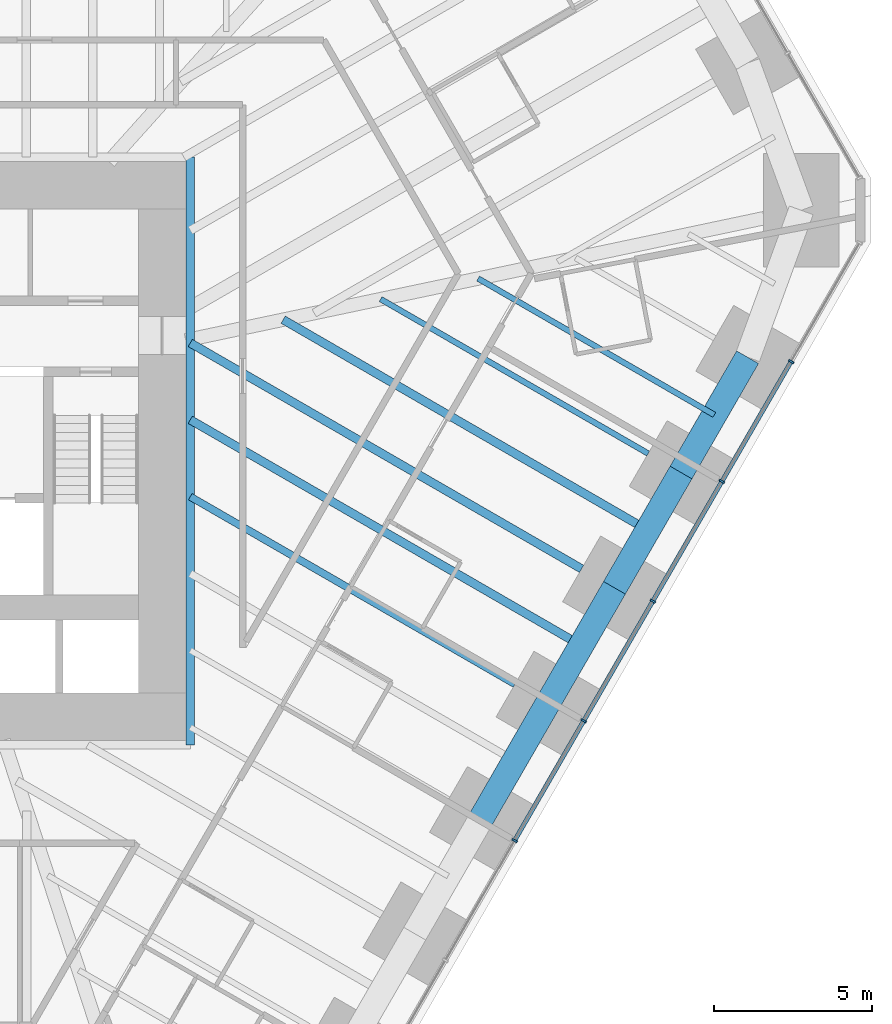
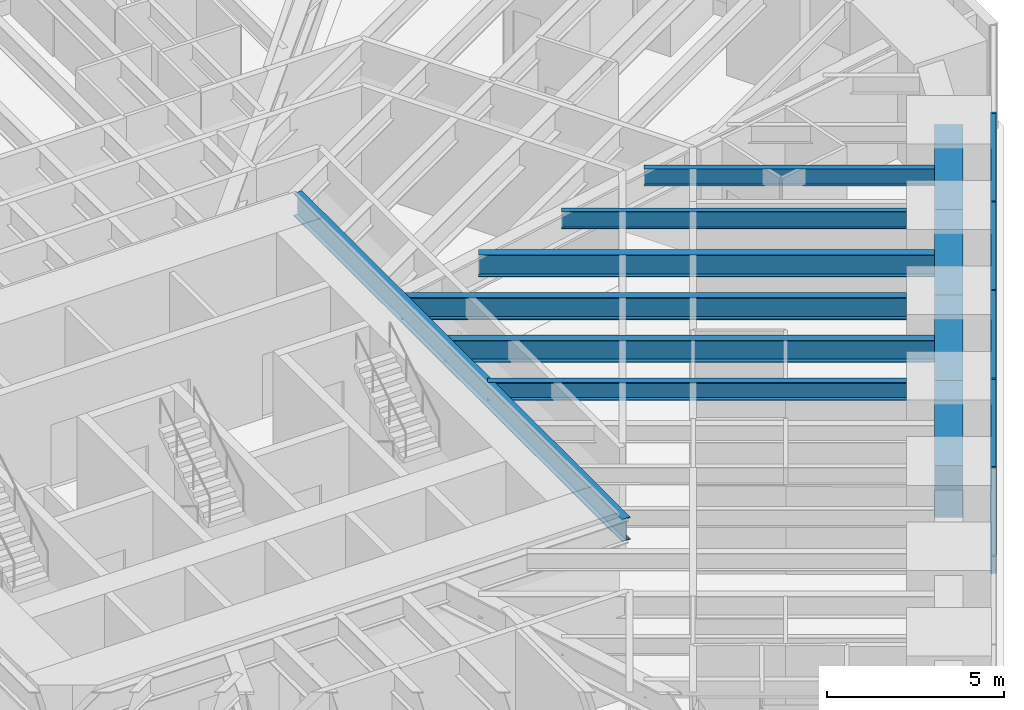
# One storey, part 6 of 17: 11 beams, 9 members, 1 element without a shape of its own.
"""IFC4 building model written with IfcOpenShell, lengths in metres."""

from ifc_helpers import new_model, si_unit, direction, frame, origin, origin_2d, place, context, subcontext, project, spatial, rectangle, i_section, extrude, material, material_profile, profile_set, type_object, element, aggregate, save


model = new_model("IFC4")

# Units and contexts
model_context = context("Model", 3, precision=1e-05, world=origin(), true_north=direction((0.0, 1.0)))
body_context = subcontext(model_context, "Body", "Model", "MODEL_VIEW")
ifc_project = project(units=[si_unit("LENGTHUNIT", "METRE"), si_unit("AREAUNIT", "SQUARE_METRE"), si_unit("VOLUMEUNIT", "CUBIC_METRE"), si_unit("PLANEANGLEUNIT", "RADIAN"), si_unit("MASSUNIT", "GRAM", prefix="KILO")], contexts=[model_context])

# Site, building, storey
site_placement = place(None, origin())
site = spatial("IfcSite", under=ifc_project, at=site_placement, CompositionType="ELEMENT")
building_placement = place(site_placement, origin())
building = spatial("IfcBuilding", under=site, at=building_placement, Name="Sandreach Pilgrim Tower", CompositionType="ELEMENT")
storey_placement = place(building_placement, frame((0.0, 0.0, 30.60009765625)))
storey = spatial("IfcBuildingStorey", under=building, at=storey_placement, Name="L06", CompositionType="ELEMENT", Elevation=30.60009765625)

# Curtain wall, members
ifc_material_1 = material(Name="Aluminium framed curtain wall", Category="aluminium")
curtain_wall_type = type_object("IfcCurtainWallType", Name="Hostel tower curtain wall", PredefinedType="NOTDEFINED", material=ifc_material_1)
curtain_wall_placement = place(storey_placement, origin())
curtain_wall = element("IfcCurtainWall", 1, at=curtain_wall_placement, inside=storey, type_object=curtain_wall_type, Name="CW-1 L06 SE", PredefinedType="NOTDEFINED")
ifc_material_2 = material(Name="Aluminium extrusion", Category="aluminium")
ifc_material_profile_1 = material_profile(ifc_material_2, rectangle(XDim=0.06494140625, YDim=0.179931640625, at=origin_2d()), Name="CW-1M 65X180")
ifc_profile_set_1 = profile_set([ifc_material_profile_1], Name="Aluminium extrusion")
member_type_1 = type_object("IfcMemberType", Name="CW-1 mullion", PredefinedType="MULLION", material=ifc_profile_set_1)
member_1_placement = place(storey_placement, frame((28.390380859375, 1.2763671875, 0.0), z_axis=(0.0, 0.0, 1.0), x_axis=(-0.5, -0.866025403784, 0.0)))
member_1 = element("IfcMember", 2, at=member_1_placement, type_object=member_type_1, Name="CW-1 mullion 2", PredefinedType="MULLION", context=body_context, shape_type="SweptSolid", body=[
    extrude(rectangle(XDim=0.06494140625, YDim=0.179931640625, at=origin_2d()), origin(), (0.0, 0.0, 1.0), 3.639892578125),
])
member_2_placement = place(storey_placement, frame((26.20458984375, -2.509521484375, 0.0), z_axis=(0.0, 0.0, 1.0), x_axis=(-0.5, -0.866025403784, 0.0)))
member_2 = element("IfcMember", 3, at=member_2_placement, type_object=member_type_1, Name="CW-1 mullion 3", PredefinedType="MULLION", context=body_context, shape_type="SweptSolid", body=[
    extrude(rectangle(XDim=0.06494140625, YDim=0.179931640625, at=origin_2d()), origin(), (0.0, 0.0, 1.0), 3.639892578125),
])
member_3_placement = place(storey_placement, frame((24.018798828125, -6.29541015625, 0.0), z_axis=(0.0, 0.0, 1.0), x_axis=(-0.5, -0.866025403784, 0.0)))
member_3 = element("IfcMember", 4, at=member_3_placement, type_object=member_type_1, Name="CW-1 mullion 4", PredefinedType="MULLION", context=body_context, shape_type="SweptSolid", body=[
    extrude(rectangle(XDim=0.06494140625, YDim=0.179931640625, at=origin_2d()), origin(), (0.0, 0.0, 1.0), 3.639892578125),
])
member_4_placement = place(storey_placement, frame((21.8330078125, -10.081298828125, 0.0), z_axis=(0.0, 0.0, 1.0), x_axis=(-0.5, -0.866025403784, 0.0)))
member_4 = element("IfcMember", 5, at=member_4_placement, type_object=member_type_1, Name="CW-1 mullion 5", PredefinedType="MULLION", context=body_context, shape_type="SweptSolid", body=[
    extrude(rectangle(XDim=0.06494140625, YDim=0.179931640625, at=origin_2d()), origin(), (0.0, 0.0, 1.0), 3.639892578125),
])
member_5_placement = place(storey_placement, frame((19.647216796875, -13.8671875, 0.0), z_axis=(0.0, 0.0, 1.0), x_axis=(-0.5, -0.866025403784, 0.0)))
member_5 = element("IfcMember", 6, at=member_5_placement, type_object=member_type_1, Name="CW-1 mullion 6", PredefinedType="MULLION", context=body_context, shape_type="SweptSolid", body=[
    extrude(rectangle(XDim=0.06494140625, YDim=0.179931640625, at=origin_2d()), origin(), (0.0, 0.0, 1.0), 3.639892578125),
])
ifc_material_3 = material(Name="Aluminium extrusion", Category="aluminium")
ifc_material_profile_2 = material_profile(ifc_material_3, rectangle(XDim=0.139892578125, YDim=0.070068359375, at=origin_2d()), Name="CW-1T 140X70")
ifc_profile_set_2 = profile_set([ifc_material_profile_2], Name="Aluminium extrusion")
member_type_2 = type_object("IfcMemberType", Name="CW-1 transom", PredefinedType="USERDEFINED", material=ifc_profile_set_2)
member_6_placement = place(storey_placement, frame((28.374267578125, 1.248046875, 3.60498046875), z_axis=(-0.500016891966, -0.866015650984, 0.0), x_axis=(0.866015650984, -0.500016891966, 0.0)))
member_6 = element("IfcMember", 7, at=member_6_placement, type_object=member_type_2, Name="CW-1 head transom 2", ObjectType="TRANSOM", PredefinedType="USERDEFINED", context=body_context, shape_type="SweptSolid", body=[
    extrude(rectangle(XDim=0.139892578125, YDim=0.070068359375, at=origin_2d()), origin(), (0.0, 0.0, 1.0), 4.306396484375),
])
member_7_placement = place(storey_placement, frame((26.1884765625, -2.537841796875, 3.60498046875), z_axis=(-0.500016891966, -0.866015650984, 0.0), x_axis=(0.866015650984, -0.500016891966, 0.0)))
member_7 = element("IfcMember", 8, at=member_7_placement, type_object=member_type_2, Name="CW-1 head transom 3", ObjectType="TRANSOM", PredefinedType="USERDEFINED", context=body_context, shape_type="SweptSolid", body=[
    extrude(rectangle(XDim=0.139892578125, YDim=0.070068359375, at=origin_2d()), origin(), (0.0, 0.0, 1.0), 4.306396484375),
])
member_8_placement = place(storey_placement, frame((24.002685546875, -6.32373046875, 3.60498046875), z_axis=(-0.500016891966, -0.866015650984, 0.0), x_axis=(0.866015650984, -0.500016891966, 0.0)))
member_8 = element("IfcMember", 9, at=member_8_placement, type_object=member_type_2, Name="CW-1 head transom 4", ObjectType="TRANSOM", PredefinedType="USERDEFINED", context=body_context, shape_type="SweptSolid", body=[
    extrude(rectangle(XDim=0.139892578125, YDim=0.070068359375, at=origin_2d()), origin(), (0.0, 0.0, 1.0), 4.306396484375),
])
member_9_placement = place(storey_placement, frame((21.81689453125, -10.109619140625, 3.60498046875), z_axis=(-0.500016891966, -0.866015650984, 0.0), x_axis=(0.866015650984, -0.500016891966, 0.0)))
member_9 = element("IfcMember", 10, at=member_9_placement, type_object=member_type_2, Name="CW-1 head transom 5", ObjectType="TRANSOM", PredefinedType="USERDEFINED", context=body_context, shape_type="SweptSolid", body=[
    extrude(rectangle(XDim=0.139892578125, YDim=0.070068359375, at=origin_2d()), origin(), (0.0, 0.0, 1.0), 4.306396484375),
])
aggregate(curtain_wall, [member_1, member_2, member_3, member_4, member_5, member_6, member_7, member_8, member_9])

# Beams
ifc_material_4 = material(Name="Steel ASTM A992 Grade 50", Category="steel")
ifc_material_profile_3 = material_profile(ifc_material_4, i_section(OverallWidth=0.2666015625, OverallDepth=0.77978515625, WebThickness=0.0166015625, FlangeThickness=0.030029296875, at=origin_2d()), Name="W30X148")
ifc_profile_set_3 = profile_set([ifc_material_profile_3], Name="Steel ASTM A992 Grade 50")
beam_type_1 = type_object("IfcBeamType", Name="Core edge beam W30X148", PredefinedType="BEAM", material=ifc_profile_set_3)
beam_1_placement = place(storey_placement, frame((9.393310546875, 7.743408203125, 3.25), z_axis=(0.0, -1.0, 0.0), x_axis=(1.0, 0.0, 0.0)))
element("IfcBeam", 11, at=beam_1_placement, inside=storey, type_object=beam_type_1, Name="BM L06 CEE", PredefinedType="BEAM", context=body_context, shape_type="SweptSolid", body=[
    extrude(i_section(OverallWidth=0.2666015625, OverallDepth=0.77978515625, WebThickness=0.0166015625, FlangeThickness=0.030029296875, at=origin_2d()), origin(), (0.0, 0.0, 1.0), 18.586669921875),
])
ifc_material_5 = material(Name="Steel ASTM A992 Grade 50", Category="steel")
ifc_material_profile_4 = material_profile(ifc_material_5, i_section(OverallWidth=0.1787109375, OverallDepth=0.60205078125, WebThickness=0.010986328125, FlangeThickness=0.014892578125, at=origin_2d()), Name="W24X62")
ifc_profile_set_4 = profile_set([ifc_material_profile_4], Name="Steel ASTM A992 Grade 50")
beam_type_2 = type_object("IfcBeamType", Name="Floor beam W24X62", PredefinedType="BEAM", material=ifc_profile_set_4)
beam_2_placement = place(storey_placement, frame((23.8720703125, -1.629638671875, 3.3388671875), z_axis=(-0.866025751498, 0.499999397742, 0.0), x_axis=(-0.499999397742, -0.866025751498, 0.0)))
element("IfcBeam", 12, at=beam_2_placement, inside=storey, type_object=beam_type_2, Name="BM L06 F15", PredefinedType="BEAM", context=body_context, shape_type="SweptSolid", body=[
    extrude(i_section(OverallWidth=0.1787109375, OverallDepth=0.60205078125, WebThickness=0.010986328125, FlangeThickness=0.014892578125, at=origin_2d()), origin(), (0.0, 0.0, 1.0), 9.767578125),
])
beam_3_placement = place(storey_placement, frame((25.9638671875, -0.40673828125, 3.3388671875), z_axis=(-0.866020100198, 0.500009185969, 0.0), x_axis=(-0.500009185969, -0.866020100198, 0.0)))
element("IfcBeam", 13, at=beam_3_placement, inside=storey, type_object=beam_type_2, Name="BM L06 FM14", PredefinedType="BEAM", context=body_context, shape_type="SweptSolid", body=[
    extrude(i_section(OverallWidth=0.1787109375, OverallDepth=0.60205078125, WebThickness=0.010986328125, FlangeThickness=0.014892578125, at=origin_2d()), origin(), (0.0, 0.0, 1.0), 8.623291015625),
])
ifc_material_6 = material(Name="Steel ASTM A992 Grade 50", Category="steel")
ifc_material_profile_5 = material_profile(ifc_material_6, i_section(OverallWidth=0.23046875, OverallDepth=0.6171875, WebThickness=0.01318359375, FlangeThickness=0.022216796875, at=origin_2d()), Name="W24X94")
ifc_profile_set_5 = profile_set([ifc_material_profile_5], Name="Steel ASTM A992 Grade 50")
beam_type_3 = type_object("IfcBeamType", Name="Floor beam W24X94", PredefinedType="BEAM", material=ifc_profile_set_5)
beam_4_placement = place(storey_placement, frame((19.662353515625, -8.92138671875, 3.331298828125), z_axis=(-0.866029924088, 0.499992170523, 0.0), x_axis=(-0.499992170523, -0.866029924088, 0.0)))
element("IfcBeam", 14, at=beam_4_placement, inside=storey, type_object=beam_type_3, Name="BM L06 F17", PredefinedType="BEAM", context=body_context, shape_type="SweptSolid", body=[
    extrude(i_section(OverallWidth=0.23046875, OverallDepth=0.6171875, WebThickness=0.01318359375, FlangeThickness=0.022216796875, at=origin_2d()), origin(), (0.0, 0.0, 1.0), 11.857666015625),
])
ifc_material_7 = material(Name="Steel ASTM A992 Grade 50", Category="steel")
ifc_material_profile_6 = material_profile(ifc_material_7, i_section(OverallWidth=0.2666015625, OverallDepth=0.761962890625, WebThickness=0.014404296875, FlangeThickness=0.021484375, at=origin_2d()), Name="W30X116")
ifc_profile_set_6 = profile_set([ifc_material_profile_6], Name="Steel ASTM A992 Grade 50")
beam_type_4 = type_object("IfcBeamType", Name="Floor beam W30X116", PredefinedType="BEAM", material=ifc_profile_set_6)
beam_5_placement = place(storey_placement, frame((21.76708984375, -5.275390625, 3.2587890625), z_axis=(-0.866024247282, 0.500002003116, 0.0), x_axis=(-0.500002003116, -0.866024247282, 0.0)))
element("IfcBeam", 15, at=beam_5_placement, inside=storey, type_object=beam_type_4, Name="BM L06 F16", PredefinedType="BEAM", context=body_context, shape_type="SweptSolid", body=[
    extrude(i_section(OverallWidth=0.2666015625, OverallDepth=0.761962890625, WebThickness=0.014404296875, FlangeThickness=0.021484375, at=origin_2d()), origin(), (0.0, 0.0, 1.0), 14.2880859375),
])
beam_6_placement = place(storey_placement, frame((23.85888671875, -4.052490234375, 3.2587890625), z_axis=(-0.866029213426, 0.499993401449, 0.0), x_axis=(-0.499993401449, -0.866029213426, 0.0)))
element("IfcBeam", 16, at=beam_6_placement, inside=storey, type_object=beam_type_4, Name="BM L06 FM15", PredefinedType="BEAM", context=body_context, shape_type="SweptSolid", body=[
    extrude(i_section(OverallWidth=0.2666015625, OverallDepth=0.761962890625, WebThickness=0.014404296875, FlangeThickness=0.021484375, at=origin_2d()), origin(), (0.0, 0.0, 1.0), 13.311767578125),
])
beam_7_placement = place(storey_placement, frame((21.75390625, -7.698486328125, 3.2587890625), z_axis=(-0.866022935671, 0.500004274874, 0.0), x_axis=(-0.500004274874, -0.866022935671, 0.0)))
element("IfcBeam", 17, at=beam_7_placement, inside=storey, type_object=beam_type_4, Name="BM L06 FM16", PredefinedType="BEAM", context=body_context, shape_type="SweptSolid", body=[
    extrude(i_section(OverallWidth=0.2666015625, OverallDepth=0.761962890625, WebThickness=0.014404296875, FlangeThickness=0.021484375, at=origin_2d()), origin(), (0.0, 0.0, 1.0), 14.27294921875),
])
ifc_material_8 = material(Name="Concrete 10000 psi", Category="concrete")
ifc_material_profile_7 = material_profile(ifc_material_8, rectangle(XDim=0.800048828125, YDim=1.800048828125, at=origin_2d()), Name="RC800X1800")
ifc_profile_set_7 = profile_set([ifc_material_profile_7], Name="Concrete 10000 psi")
beam_type_5 = type_object("IfcBeamType", Name="Spandrel beam RC800X1800", PredefinedType="SPANDREL", material=ifc_profile_set_7)
beam_8_placement = place(storey_placement, frame((27.016357421875, 1.416259765625, 2.739990234375), z_axis=(-0.499993523031, -0.866029143232, 0.0), x_axis=(0.866029143232, -0.499993523031, 0.0)))
element("IfcBeam", 18, at=beam_8_placement, inside=storey, type_object=beam_type_5, Name="BM L06 SP14", PredefinedType="SPANDREL", context=body_context, shape_type="SweptSolid", body=[
    extrude(rectangle(XDim=0.800048828125, YDim=1.800048828125, at=origin_2d()), origin(), (0.0, 0.0, 1.0), 4.2099609375),
])
beam_9_placement = place(storey_placement, frame((24.911376953125, -2.229736328125, 2.739990234375), z_axis=(-0.50001863446, -0.866014644907, 0.0), x_axis=(0.866014644907, -0.50001863446, 0.0)))
element("IfcBeam", 19, at=beam_9_placement, inside=storey, type_object=beam_type_5, Name="BM L06 SP15", PredefinedType="SPANDREL", context=body_context, shape_type="SweptSolid", body=[
    extrude(rectangle(XDim=0.800048828125, YDim=1.800048828125, at=origin_2d()), origin(), (0.0, 0.0, 1.0), 4.209716796875),
])
beam_10_placement = place(storey_placement, frame((22.806396484375, -5.87548828125, 2.739990234375), z_axis=(-0.499993523031, -0.866029143232, 0.0), x_axis=(0.866029143232, -0.499993523031, 0.0)))
element("IfcBeam", 20, at=beam_10_placement, inside=storey, type_object=beam_type_5, Name="BM L06 SP16", PredefinedType="SPANDREL", context=body_context, shape_type="SweptSolid", body=[
    extrude(rectangle(XDim=0.800048828125, YDim=1.800048828125, at=origin_2d()), origin(), (0.0, 0.0, 1.0), 4.2099609375),
])
beam_11_placement = place(storey_placement, frame((20.701416015625, -9.521484375, 2.739990234375), z_axis=(-0.50001863446, -0.866014644907, 0.0), x_axis=(0.866014644907, -0.50001863446, 0.0)))
element("IfcBeam", 21, at=beam_11_placement, inside=storey, type_object=beam_type_5, Name="BM L06 SP17", PredefinedType="SPANDREL", context=body_context, shape_type="SweptSolid", body=[
    extrude(rectangle(XDim=0.800048828125, YDim=1.800048828125, at=origin_2d()), origin(), (0.0, 0.0, 1.0), 4.209716796875),
])

save(model, "model.ifc")
